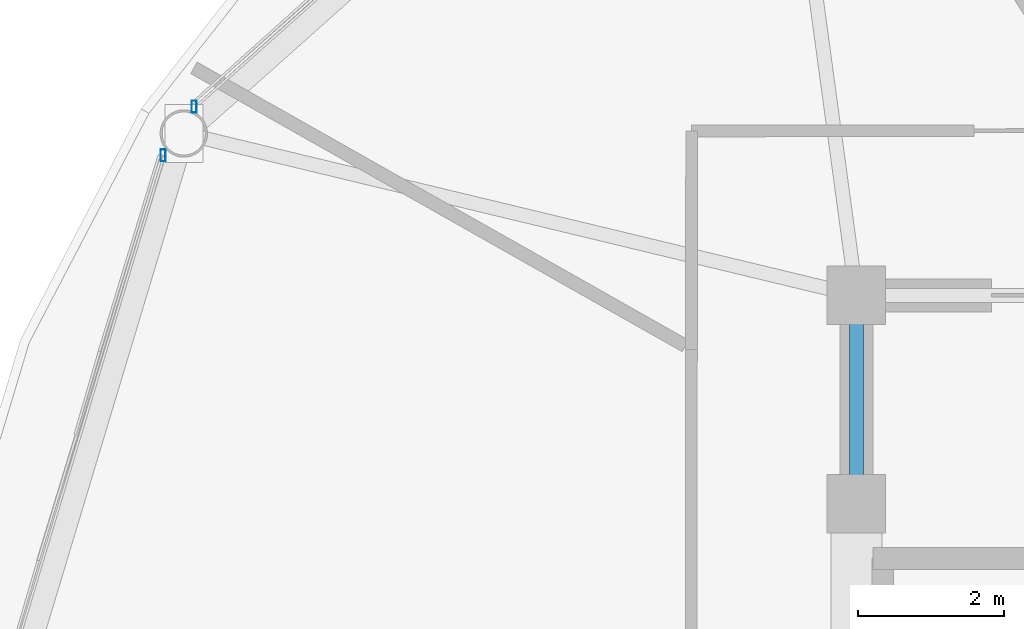
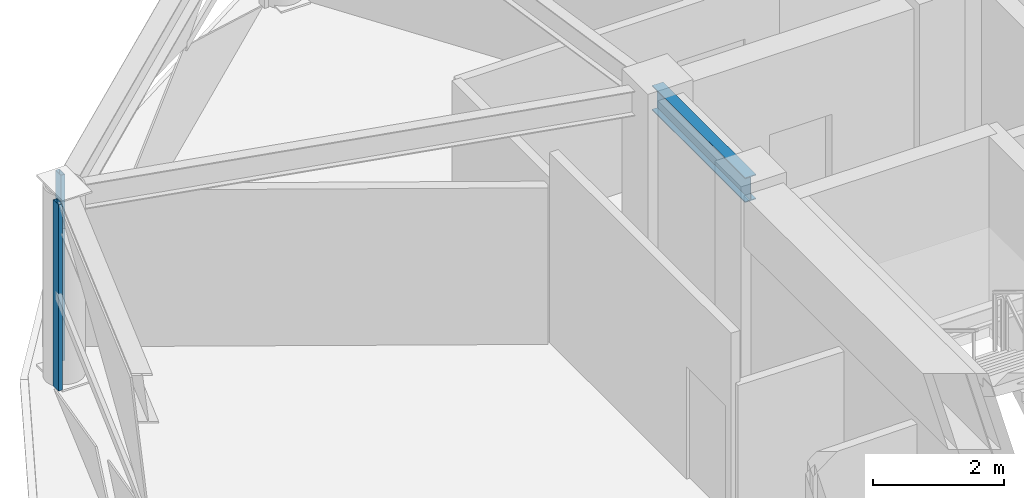
# One storey, part 9 of 28: 2 members, 1 beam, 2 elements without a shape of their own.
"""IFC4 building model written with IfcOpenShell, lengths in metres."""

from ifc_helpers import new_model, si_unit, direction, frame, origin, origin_2d, place, context, subcontext, project, spatial, hollow_rectangle, i_section, extrude, material, layer, layer_set, material_profile, profile_set, type_object, element, aggregate, save


model = new_model("IFC4")

# Units and contexts
model_context = context("Model", 3, precision=1e-05, world=origin(), true_north=direction((0.0, 1.0)))
body_context = subcontext(model_context, "Body", "Model", "MODEL_VIEW")
ifc_project = project(units=[si_unit("LENGTHUNIT", "METRE"), si_unit("AREAUNIT", "SQUARE_METRE"), si_unit("VOLUMEUNIT", "CUBIC_METRE"), si_unit("PLANEANGLEUNIT", "RADIAN"), si_unit("MASSUNIT", "GRAM", prefix="KILO")], contexts=[model_context])

# Site, building, storey
site_placement = place(None, origin())
site = spatial("IfcSite", under=ifc_project, at=site_placement, CompositionType="ELEMENT")
building_placement = place(site_placement, origin())
building = spatial("IfcBuilding", under=site, at=building_placement, Name="Vantalir Tower", CompositionType="ELEMENT")
storey_placement = place(building_placement, frame((0.0, 0.0, 246.14990234375)))
storey = spatial("IfcBuildingStorey", under=building, at=storey_placement, Name="L62", CompositionType="ELEMENT", Elevation=246.14990234375)

# Beam
ifc_material_1 = material(Name="Steel S355", Category="steel")
ifc_material_profile_1 = material_profile(ifc_material_1, i_section(OverallWidth=0.19189453125, OverallDepth=0.462890625, WebThickness=0.010498046875, FlangeThickness=0.017578125, at=origin_2d()), Name="Steel S355")
ifc_profile_set_1 = profile_set([ifc_material_profile_1], Name="Steel S355")
beam_type = type_object("IfcBeamType", Name="BM-RB-457x191", PredefinedType="BEAM", material=ifc_profile_set_1)
beam_placement = place(storey_placement, frame((21.89990234375, 32.449951171875, 3.338134765625), z_axis=(0.0, -1.0, 0.0), x_axis=(1.0, 0.0, 0.0)))
element("IfcBeam", 1, at=beam_placement, inside=storey, type_object=beam_type, Name="L62 Core Coupling Girder 12", PredefinedType="BEAM", context=body_context, shape_type="SweptSolid", body=[
    extrude(i_section(OverallWidth=0.19189453125, OverallDepth=0.462890625, WebThickness=0.010498046875, FlangeThickness=0.017578125, at=origin_2d()), origin(), (0.0, 0.0, 1.0), 2.849853515625),
])

# Curtain wall, member
ifc_material_2 = material(Name="Champagne-silver PVDF aluminium and double-silver Low-E glass", Category="aluminium")
ifc_layer = layer(ifc_material_2, 0.2099609375)
ifc_layer_set = layer_set([ifc_layer], Name="Champagne-silver PVDF aluminium and double-silver Low-E glass")
curtain_wall_type = type_object("IfcCurtainWallType", Name="CW-DIAMOND-Z3", PredefinedType="USERDEFINED", material=ifc_layer_set)
curtain_wall_1_placement = place(storey_placement, origin())
curtain_wall_1 = element("IfcCurtainWall", 2, at=curtain_wall_1_placement, inside=storey, type_object=curtain_wall_type, Name="L62 Quilted Pyramid-Diamond Curtain Wall S05", ObjectType="UNITISED CURTAIN WALL", PredefinedType="USERDEFINED")
ifc_material_3 = material(Name="Champagne-silver PVDF aluminium 6063-T6", Category="aluminium")
ifc_material_profile_2 = material_profile(ifc_material_3, hollow_rectangle(XDim=0.070068359375, YDim=0.1650390625, WallThickness=0.00390625, at=origin_2d()), Name="Champagne-silver PVDF aluminium 6063-T6")
ifc_profile_set_2 = profile_set([ifc_material_profile_2], Name="Champagne-silver PVDF aluminium 6063-T6")
member_type = type_object("IfcMemberType", Name="CWM-165x70", PredefinedType="MULLION", material=ifc_profile_set_2)
member_1_placement = place(storey_placement, frame((12.8330078125, 35.033935546875, 0.045166015625), z_axis=(0.0, 0.0, 1.0), x_axis=(1.0, 0.0, 0.0)))
member_1 = element("IfcMember", 3, at=member_1_placement, type_object=member_type, Name="CW-L62-S05 Mullion 2", PredefinedType="MULLION", context=body_context, shape_type="SweptSolid", body=[
    extrude(hollow_rectangle(XDim=0.070068359375, YDim=0.1650390625, WallThickness=0.00390625, at=origin_2d()), origin(), (0.0, 0.0, 1.0), 3.47998046875),
])
aggregate(curtain_wall_1, [member_1])

curtain_wall_2_placement = place(storey_placement, origin())
curtain_wall_2 = element("IfcCurtainWall", 4, at=curtain_wall_2_placement, inside=storey, type_object=curtain_wall_type, Name="L62 Quilted Pyramid-Diamond Curtain Wall S06", ObjectType="UNITISED CURTAIN WALL", PredefinedType="USERDEFINED")
member_2_placement = place(storey_placement, frame((12.408935546875, 34.367919921875, 0.045166015625), z_axis=(0.0, 0.0, 1.0), x_axis=(1.0, 0.0, 0.0)))
member_2 = element("IfcMember", 5, at=member_2_placement, type_object=member_type, Name="CW-L62-S06 Mullion 1", PredefinedType="MULLION", context=body_context, shape_type="SweptSolid", body=[
    extrude(hollow_rectangle(XDim=0.070068359375, YDim=0.1650390625, WallThickness=0.00390625, at=origin_2d()), origin(), (0.0, 0.0, 1.0), 3.47998046875),
])
aggregate(curtain_wall_2, [member_2])

save(model, "model.ifc")
